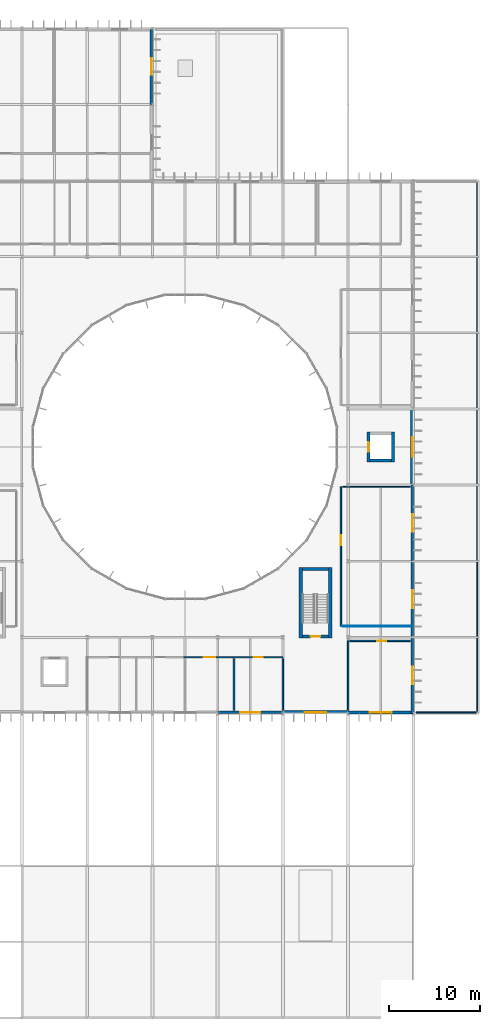
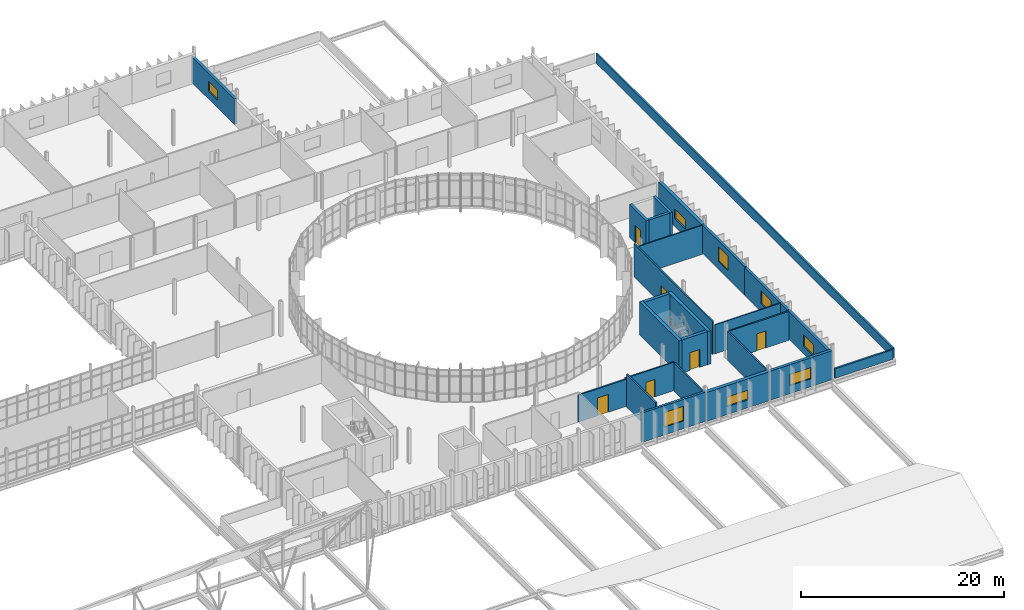
# One storey, part 83 of 99: 26 walls, 8 windows, 6 doors, 14 openings.
"""IFC4 building model written with IfcOpenShell, lengths in metres."""

from ifc_helpers import new_model, si_unit, direction, frame, frame_2d, origin, place, context, subcontext, project, spatial, rectangle, extrude, material, layer, layer_set, type_object, element, fill, save


model = new_model("IFC4")

# Units and contexts
model_context = context("Model", 3, precision=1e-05, world=origin(), true_north=direction((0.0, 1.0)))
body_context = subcontext(model_context, "Body", "Model", "MODEL_VIEW")
ifc_project = project(units=[si_unit("LENGTHUNIT", "METRE"), si_unit("AREAUNIT", "SQUARE_METRE"), si_unit("VOLUMEUNIT", "CUBIC_METRE"), si_unit("PLANEANGLEUNIT", "RADIAN"), si_unit("MASSUNIT", "GRAM", prefix="KILO")], contexts=[model_context])

# Site, building, storey
site_placement = place(None, origin())
site = spatial("IfcSite", under=ifc_project, at=site_placement, CompositionType="ELEMENT")
building_placement = place(site_placement, origin())
building = spatial("IfcBuilding", under=site, at=building_placement, Name="Qelthora Terrace Specialist Clinic", CompositionType="ELEMENT")
storey_placement = place(building_placement, frame((0.0, 0.0, 9.0)))
storey = spatial("IfcBuildingStorey", under=building, at=storey_placement, Name="L02", CompositionType="ELEMENT", Elevation=9.0)

# Wall, opening, door
ifc_material_1 = material(Name="Concrete C40/50", Category="concrete")
ifc_layer_1 = layer(ifc_material_1, 0.300048828125)
ifc_layer_set_1 = layer_set([ifc_layer_1], Name="Concrete C40/50")
wall_type_1 = type_object("IfcWallType", Name="WAL-CORE-300-C40", PredefinedType="SHEAR", material=ifc_layer_set_1)
wall_1_placement = place(storey_placement, frame((146.25, 61.35009765625, 0.0), z_axis=(0.0, 0.0, 1.0), x_axis=(0.0, 1.0, 0.0)))
wall_1 = element("IfcWall", 1, at=wall_1_placement, inside=storey, type_object=wall_type_1, Name="Lift PL-02 L02 west shaft wall", PredefinedType="SHEAR", context=body_context, shape_type="SweptSolid", body=[
    extrude(rectangle(XDim=3.2998046875, YDim=0.300048828125, at=frame_2d((1.64990234375, 0.0))), origin(), (0.0, 0.0, 1.0), 3.97509765625),
])
opening_1_placement = place(wall_1_placement, frame((1.10009765625, 0.0, 0.0)))
opening_1 = element("IfcOpeningElement", 2, at=opening_1_placement, cuts=wall_1, Name="Opening LD-PL-02-L02", PredefinedType="OPENING", context=body_context, shape_type="SweptSolid", body=[
    extrude(rectangle(XDim=1.10009765625, YDim=2.14990234375, at=frame_2d((0.550048828125, 1.074951171875))), frame((0.0, 0.159912109375, 0.0), z_axis=(0.0, -1.0, 0.0), x_axis=(1.0, 0.0, 0.0)), (0.0, 0.0, 1.0), 0.320068359375),
])
ifc_material_2 = material(Name="Steel S355", Category="steel")
door_type_1 = type_object("IfcDoorType", Name="DOR-LIFT-1100X2150", OperationType="NOTDEFINED", PredefinedType="DOOR", material=ifc_material_2)
door_1_placement = place(opening_1_placement, origin())
door_1 = element("IfcDoor", 3, at=door_1_placement, inside=storey, type_object=door_type_1, Name="Lift landing sliding door LD-PL-02-L02", OperationType="DOUBLE_DOOR_SLIDING", OverallHeight=2.14990234375, OverallWidth=1.10009765625, PredefinedType="DOOR", context=body_context, shape_type="SweptSolid", body=[
    extrude(rectangle(XDim=1.10009765625, YDim=2.14990234375, at=frame_2d((0.550048828125, 1.074951171875))), frame((0.0, 0.02490234375, 0.0), z_axis=(0.0, -1.0, 0.0), x_axis=(1.0, 0.0, 0.0)), (0.0, 0.0, 1.0), 0.050048828125),
])
fill(opening_1, door_1)

# Walls
wall_2_placement = place(storey_placement, frame((148.949951171875, 61.35009765625, 0.0), z_axis=(0.0, 0.0, 1.0), x_axis=(0.0, 1.0, 0.0)))
element("IfcWall", 4, at=wall_2_placement, inside=storey, type_object=wall_type_1, Name="Lift PL-02 L02 east shaft wall", PredefinedType="SHEAR", context=body_context, shape_type="SweptSolid", body=[
    extrude(rectangle(XDim=3.2998046875, YDim=0.300048828125, at=frame_2d((1.64990234375, 0.0))), origin(), (0.0, 0.0, 1.0), 3.97509765625),
])
wall_3_placement = place(storey_placement, frame((146.39990234375, 61.5, 0.0), z_axis=(0.0, 0.0, 1.0), x_axis=(1.0, 0.0, 0.0)))
element("IfcWall", 5, at=wall_3_placement, inside=storey, type_object=wall_type_1, Name="Lift PL-02 L02 south shaft wall", PredefinedType="SHEAR", context=body_context, shape_type="SweptSolid", body=[
    extrude(rectangle(XDim=2.400146484375, YDim=0.300048828125, at=frame_2d((1.2001953125, 0.0))), origin(), (0.0, 0.0, 1.0), 3.97509765625),
])
ifc_layer_2 = layer(ifc_material_1, 0.35009765625)
ifc_layer_set_2 = layer_set([ifc_layer_2], Name="Concrete C40/50")
wall_type_2 = type_object("IfcWallType", Name="WAL-CORE-350-C40", PredefinedType="SHEAR", material=ifc_layer_set_2)
for number, where, z_axis, x_axis, name in (
    (6, (138.77490234375, 41.89990234375, 0.0), (0.0, 0.0, 1.0), (0.0, 1.0, 0.0), "ST-06 L02 west shear core wall"),
    (7, (142.02490234375, 41.89990234375, 0.0), (0.0, 0.0, 1.0), (0.0, 1.0, 0.0), "ST-06 L02 east shear core wall"),
):
    element("IfcWall", number, at=place(storey_placement, frame(where, z_axis=z_axis, x_axis=x_axis)), inside=storey, type_object=wall_type_2, Name=name, PredefinedType="SHEAR", context=body_context, shape_type="SweptSolid", body=[
        extrude(rectangle(XDim=7.800048828125, YDim=0.35009765625, at=frame_2d((3.89990234375, 0.0))), origin(), (0.0, 0.0, 1.0), 3.989990234375),
    ])
wall_4_placement = place(storey_placement, frame((138.949951171875, 49.52490234375, 0.0), z_axis=(0.0, 0.0, 1.0), x_axis=(1.0, 0.0, 0.0)))
element("IfcWall", 8, at=wall_4_placement, inside=storey, type_object=wall_type_2, Name="ST-06 L02 north shear core wall", PredefinedType="SHEAR", context=body_context, shape_type="SweptSolid", body=[
    extrude(rectangle(XDim=2.900146484375, YDim=0.35009765625, at=frame_2d((1.4501953125, 0.0))), origin(), (0.0, 0.0, 1.0), 3.989990234375),
])

# Wall, opening, door
wall_5_placement = place(storey_placement, frame((138.949951171875, 42.074951171875, 0.0), z_axis=(0.0, 0.0, 1.0), x_axis=(1.0, 0.0, 0.0)))
wall_5 = element("IfcWall", 9, at=wall_5_placement, inside=storey, type_object=wall_type_2, Name="ST-06 L02 south shear core wall", PredefinedType="SHEAR", context=body_context, shape_type="SweptSolid", body=[
    extrude(rectangle(XDim=2.900146484375, YDim=0.35009765625, at=frame_2d((1.4501953125, 0.0))), origin(), (0.0, 0.0, 1.0), 3.989990234375),
])
opening_2_placement = place(wall_5_placement, frame((0.89990234375, 0.0, 0.0)))
opening_2 = element("IfcOpeningElement", 10, at=opening_2_placement, cuts=wall_5, Name="Opening D-ST-06-L02", PredefinedType="OPENING", context=body_context, shape_type="SweptSolid", body=[
    extrude(rectangle(XDim=1.10009765625, YDim=2.14990234375, at=frame_2d((0.550048828125, 1.074951171875))), frame((0.0, 0.18505859375, 0.0), z_axis=(0.0, -1.0, 0.0), x_axis=(1.0, 0.0, 0.0)), (0.0, 0.0, 1.0), 0.3701171875),
])
door_type_2 = type_object("IfcDoorType", Name="DOR-STAIR-1100X2150", OperationType="NOTDEFINED", PredefinedType="DOOR", material=ifc_material_2)
door_2_placement = place(opening_2_placement, origin())
door_2 = element("IfcDoor", 11, at=door_2_placement, inside=storey, type_object=door_type_2, Name="Stair fire door D-ST-06-L02", OperationType="SINGLE_SWING_LEFT", OverallHeight=2.14990234375, OverallWidth=1.10009765625, PredefinedType="DOOR", context=body_context, shape_type="SweptSolid", body=[
    extrude(rectangle(XDim=1.10009765625, YDim=2.14990234375, at=frame_2d((0.550048828125, 1.074951171875))), frame((0.0, 0.02490234375, 0.0), z_axis=(0.0, -1.0, 0.0), x_axis=(1.0, 0.0, 0.0)), (0.0, 0.0, 1.0), 0.050048828125),
])
fill(opening_2, door_2)

# Wall, opening, window
ifc_material_3 = material(Name="Precast concrete C40/50", Category="concrete")
ifc_layer_3 = layer(ifc_material_3, 0.260009765625)
ifc_layer_set_3 = layer_set([ifc_layer_3], Name="Precast concrete C40/50")
wall_type_3 = type_object("IfcWallType", Name="WAL-EXT-260-PC40", PredefinedType="SOLIDWALL", material=ifc_layer_set_3)
wall_6_placement = place(storey_placement, frame((151.080078125, 50.39990234375, 0.0), z_axis=(0.0, 0.0, 1.0), x_axis=(0.0, 1.0, 0.0)))
wall_6 = element("IfcWall", 12, at=wall_6_placement, inside=storey, type_object=wall_type_3, Name="L02 external precast wall 254", PredefinedType="SOLIDWALL", context=body_context, shape_type="SweptSolid", body=[
    extrude(rectangle(XDim=8.400146484375, YDim=0.260009765625, at=frame_2d((4.2001953125, 0.0))), origin(), (0.0, 0.0, 1.0), 3.39794921875),
])
opening_3_placement = place(wall_6_placement, frame((3.22509765625, 0.0, 0.949951171875)))
opening_3 = element("IfcOpeningElement", 13, at=opening_3_placement, cuts=wall_6, Name="Opening WN-L02-220", PredefinedType="OPENING", context=body_context, shape_type="SweptSolid", body=[
    extrude(rectangle(XDim=1.949951171875, YDim=1.75, at=frame_2d((0.97509765625, 0.875))), frame((0.0, 0.139892578125, 0.0), z_axis=(0.0, -1.0, 0.0), x_axis=(1.0, 0.0, 0.0)), (0.0, 0.0, 1.0), 0.280029296875),
])
ifc_material_4 = material(Name="Low-E triple-silver insulating glass", Category="glass")
window_type_1 = type_object("IfcWindowType", Name="WIN-1950X1750", PartitioningType="DOUBLE_PANEL_VERTICAL", PredefinedType="WINDOW", material=ifc_material_4)
window_1_placement = place(opening_3_placement, origin())
window_1 = element("IfcWindow", 14, at=window_1_placement, inside=storey, type_object=window_type_1, Name="Clinical window WN-L02-220", OverallHeight=1.75, OverallWidth=1.949951171875, PartitioningType="SINGLE_PANEL", PredefinedType="WINDOW", context=body_context, shape_type="SweptSolid", body=[
    extrude(rectangle(XDim=1.949951171875, YDim=1.75, at=frame_2d((0.97509765625, 0.875))), frame((0.0, 0.030029296875, 0.0), z_axis=(0.0, -1.0, 0.0), x_axis=(1.0, 0.0, 0.0)), (0.0, 0.0, 1.0), 0.06005859375),
])
fill(opening_3, window_1)

wall_7_placement = place(storey_placement, frame((129.60009765625, 33.719970703125, 0.0), z_axis=(0.0, 0.0, 1.0), x_axis=(1.0, 0.0, 0.0)))
wall_7 = element("IfcWall", 15, at=wall_7_placement, inside=storey, type_object=wall_type_3, Name="L02 external precast wall 264", PredefinedType="SOLIDWALL", context=body_context, shape_type="SweptSolid", body=[
    extrude(rectangle(XDim=7.199951171875, YDim=0.260009765625, at=frame_2d((3.60009765625, 0.0))), origin(), (0.0, 0.0, 1.0), 3.529052734375),
])
opening_4_placement = place(wall_7_placement, frame((2.47509765625, 0.0, 0.949951171875)))
opening_4 = element("IfcOpeningElement", 16, at=opening_4_placement, cuts=wall_7, Name="Opening WN-L02-228", PredefinedType="OPENING", context=body_context, shape_type="SweptSolid", body=[
    extrude(rectangle(XDim=2.25, YDim=1.75, at=frame_2d((1.125, 0.875))), frame((0.0, 0.139892578125, 0.0), z_axis=(0.0, -1.0, 0.0), x_axis=(1.0, 0.0, 0.0)), (0.0, 0.0, 1.0), 0.280029296875),
])
window_type_2 = type_object("IfcWindowType", Name="WIN-2250X1750", PartitioningType="DOUBLE_PANEL_VERTICAL", PredefinedType="WINDOW", material=ifc_material_4)
window_2_placement = place(opening_4_placement, origin())
window_2 = element("IfcWindow", 17, at=window_2_placement, inside=storey, type_object=window_type_2, Name="Clinical window WN-L02-228", OverallHeight=1.75, OverallWidth=2.25, PartitioningType="SINGLE_PANEL", PredefinedType="WINDOW", context=body_context, shape_type="SweptSolid", body=[
    extrude(rectangle(XDim=2.25, YDim=1.75, at=frame_2d((1.125, 0.875))), frame((0.0, 0.030029296875, 0.0), z_axis=(0.0, -1.0, 0.0), x_axis=(1.0, 0.0, 0.0)), (0.0, 0.0, 1.0), 0.06005859375),
])
fill(opening_4, window_2)

ifc_layer_4 = layer(ifc_material_3, 0.280029296875)
ifc_layer_set_4 = layer_set([ifc_layer_4], Name="Precast concrete C40/50")
wall_type_4 = type_object("IfcWallType", Name="WAL-EXT-280-PC40", PredefinedType="SOLIDWALL", material=ifc_layer_set_4)
wall_8_placement = place(storey_placement, frame((151.080078125, 42.0, 0.0), z_axis=(0.0, 0.0, 1.0), x_axis=(0.0, 1.0, 0.0)))
wall_8 = element("IfcWall", 18, at=wall_8_placement, inside=storey, type_object=wall_type_4, Name="L02 external precast wall 253", PredefinedType="SOLIDWALL", context=body_context, shape_type="SweptSolid", body=[
    extrude(rectangle(XDim=8.39990234375, YDim=0.280029296875, at=frame_2d((4.199951171875, 0.0))), origin(), (0.0, 0.0, 1.0), 3.324951171875),
])
opening_5_placement = place(wall_8_placement, frame((3.22509765625, 0.0, 0.949951171875)))
opening_5 = element("IfcOpeningElement", 19, at=opening_5_placement, cuts=wall_8, Name="Opening WN-L02-219", PredefinedType="OPENING", context=body_context, shape_type="SweptSolid", body=[
    extrude(rectangle(XDim=1.949951171875, YDim=1.550048828125, at=frame_2d((0.97509765625, 0.77490234375))), frame((0.0, 0.14990234375, 0.0), z_axis=(0.0, -1.0, 0.0), x_axis=(1.0, 0.0, 0.0)), (0.0, 0.0, 1.0), 0.300048828125),
])
window_type_3 = type_object("IfcWindowType", Name="WIN-1950X1550", PartitioningType="DOUBLE_PANEL_VERTICAL", PredefinedType="WINDOW", material=ifc_material_4)
window_3_placement = place(opening_5_placement, origin())
window_3 = element("IfcWindow", 20, at=window_3_placement, inside=storey, type_object=window_type_3, Name="Clinical window WN-L02-219", OverallHeight=1.550048828125, OverallWidth=1.949951171875, PartitioningType="SINGLE_PANEL", PredefinedType="WINDOW", context=body_context, shape_type="SweptSolid", body=[
    extrude(rectangle(XDim=1.949951171875, YDim=1.550048828125, at=frame_2d((0.97509765625, 0.77490234375))), frame((0.0, 0.030029296875, 0.0), z_axis=(0.0, -1.0, 0.0), x_axis=(1.0, 0.0, 0.0)), (0.0, 0.0, 1.0), 0.06005859375),
])
fill(opening_5, window_3)

ifc_layer_5 = layer(ifc_material_3, 0.300048828125)
ifc_layer_set_5 = layer_set([ifc_layer_5], Name="Precast concrete C40/50")
wall_type_5 = type_object("IfcWallType", Name="WAL-EXT-300-PC40", PredefinedType="SOLIDWALL", material=ifc_layer_set_5)
wall_9_placement = place(storey_placement, frame((122.280029296875, 100.800048828125, 0.0), z_axis=(0.0, 0.0, 1.0), x_axis=(0.0, 1.0, 0.0)))
wall_9 = element("IfcWall", 21, at=wall_9_placement, inside=storey, type_object=wall_type_5, Name="L02 external precast wall 247", PredefinedType="SOLIDWALL", context=body_context, shape_type="SweptSolid", body=[
    extrude(rectangle(XDim=8.39990234375, YDim=0.300048828125, at=frame_2d((4.199951171875, 0.0))), origin(), (0.0, 0.0, 1.0), 3.091064453125),
])
opening_6_placement = place(wall_9_placement, frame((3.300048828125, 0.0, 0.949951171875)))
opening_6 = element("IfcOpeningElement", 22, at=opening_6_placement, cuts=wall_9, Name="Opening WN-L02-213", PredefinedType="OPENING", context=body_context, shape_type="SweptSolid", body=[
    extrude(rectangle(XDim=1.800048828125, YDim=1.14990234375, at=frame_2d((0.89990234375, 0.574951171875))), frame((0.0, 0.159912109375, 0.0), z_axis=(0.0, -1.0, 0.0), x_axis=(1.0, 0.0, 0.0)), (0.0, 0.0, 1.0), 0.320068359375),
])
window_type_4 = type_object("IfcWindowType", Name="WIN-1800X1150", PartitioningType="DOUBLE_PANEL_VERTICAL", PredefinedType="WINDOW", material=ifc_material_4)
window_4_placement = place(opening_6_placement, origin())
window_4 = element("IfcWindow", 23, at=window_4_placement, inside=storey, type_object=window_type_4, Name="Clinical window WN-L02-213", OverallHeight=1.14990234375, OverallWidth=1.800048828125, PartitioningType="SINGLE_PANEL", PredefinedType="WINDOW", context=body_context, shape_type="SweptSolid", body=[
    extrude(rectangle(XDim=1.800048828125, YDim=1.14990234375, at=frame_2d((0.89990234375, 0.574951171875))), frame((0.0, 0.030029296875, 0.0), z_axis=(0.0, -1.0, 0.0), x_axis=(1.0, 0.0, 0.0)), (0.0, 0.0, 1.0), 0.06005859375),
])
fill(opening_6, window_4)

wall_10_placement = place(storey_placement, frame((151.080078125, 33.60009765625, 0.0), z_axis=(0.0, 0.0, 1.0), x_axis=(0.0, 1.0, 0.0)))
wall_10 = element("IfcWall", 24, at=wall_10_placement, inside=storey, type_object=wall_type_5, Name="L02 external precast wall 252", PredefinedType="SOLIDWALL", context=body_context, shape_type="SweptSolid", body=[
    extrude(rectangle(XDim=8.39990234375, YDim=0.300048828125, at=frame_2d((4.199951171875, 0.0))), origin(), (0.0, 0.0, 1.0), 3.324951171875),
])
opening_7_placement = place(wall_10_placement, frame((3.22509765625, 0.0, 0.949951171875)))
opening_7 = element("IfcOpeningElement", 25, at=opening_7_placement, cuts=wall_10, Name="Opening WN-L02-218", PredefinedType="OPENING", context=body_context, shape_type="SweptSolid", body=[
    extrude(rectangle(XDim=1.949951171875, YDim=1.35009765625, at=frame_2d((0.97509765625, 0.675048828125))), frame((0.0, 0.159912109375, 0.0), z_axis=(0.0, -1.0, 0.0), x_axis=(1.0, 0.0, 0.0)), (0.0, 0.0, 1.0), 0.320068359375),
])
window_type_5 = type_object("IfcWindowType", Name="WIN-1950X1350", PartitioningType="DOUBLE_PANEL_VERTICAL", PredefinedType="WINDOW", material=ifc_material_4)
window_5_placement = place(opening_7_placement, origin())
window_5 = element("IfcWindow", 26, at=window_5_placement, inside=storey, type_object=window_type_5, Name="Clinical window WN-L02-218", OverallHeight=1.35009765625, OverallWidth=1.949951171875, PartitioningType="SINGLE_PANEL", PredefinedType="WINDOW", context=body_context, shape_type="SweptSolid", body=[
    extrude(rectangle(XDim=1.949951171875, YDim=1.35009765625, at=frame_2d((0.97509765625, 0.675048828125))), frame((0.0, 0.030029296875, 0.0), z_axis=(0.0, -1.0, 0.0), x_axis=(1.0, 0.0, 0.0)), (0.0, 0.0, 1.0), 0.06005859375),
])
fill(opening_7, window_5)

ifc_layer_6 = layer(ifc_material_3, 0.320068359375)
ifc_layer_set_6 = layer_set([ifc_layer_6], Name="Precast concrete C40/50")
wall_type_6 = type_object("IfcWallType", Name="WAL-EXT-320-PC40", PredefinedType="SOLIDWALL", material=ifc_layer_set_6)
wall_11_placement = place(storey_placement, frame((144.0, 33.719970703125, 0.0), z_axis=(0.0, 0.0, 1.0), x_axis=(1.0, 0.0, 0.0)))
wall_11 = element("IfcWall", 27, at=wall_11_placement, inside=storey, type_object=wall_type_6, Name="L02 external precast wall 266", PredefinedType="SOLIDWALL", context=body_context, shape_type="SweptSolid", body=[
    extrude(rectangle(XDim=7.199951171875, YDim=0.320068359375, at=frame_2d((3.60009765625, 0.0))), origin(), (0.0, 0.0, 1.0), 3.48193359375),
])
opening_8_placement = place(wall_11_placement, frame((2.39990234375, 0.0, 0.949951171875)))
opening_8 = element("IfcOpeningElement", 28, at=opening_8_placement, cuts=wall_11, Name="Opening WN-L02-230", PredefinedType="OPENING", context=body_context, shape_type="SweptSolid", body=[
    extrude(rectangle(XDim=2.39990234375, YDim=1.35009765625, at=frame_2d((1.199951171875, 0.675048828125))), frame((0.0, 0.169921875, 0.0), z_axis=(0.0, -1.0, 0.0), x_axis=(1.0, 0.0, 0.0)), (0.0, 0.0, 1.0), 0.340087890625),
])
window_type_6 = type_object("IfcWindowType", Name="WIN-2400X1350", PartitioningType="DOUBLE_PANEL_VERTICAL", PredefinedType="WINDOW", material=ifc_material_4)
window_6_placement = place(opening_8_placement, origin())
window_6 = element("IfcWindow", 29, at=window_6_placement, inside=storey, type_object=window_type_6, Name="Clinical window WN-L02-230", OverallHeight=1.35009765625, OverallWidth=2.39990234375, PartitioningType="SINGLE_PANEL", PredefinedType="WINDOW", context=body_context, shape_type="SweptSolid", body=[
    extrude(rectangle(XDim=2.39990234375, YDim=1.35009765625, at=frame_2d((1.199951171875, 0.675048828125))), frame((0.0, 0.030029296875, 0.0), z_axis=(0.0, -1.0, 0.0), x_axis=(1.0, 0.0, 0.0)), (0.0, 0.0, 1.0), 0.06005859375),
])
fill(opening_8, window_6)

ifc_layer_7 = layer(ifc_material_3, 0.3798828125)
ifc_layer_set_7 = layer_set([ifc_layer_7], Name="Precast concrete C40/50")
wall_type_7 = type_object("IfcWallType", Name="WAL-EXT-380-PC40", PredefinedType="SOLIDWALL", material=ifc_layer_set_7)
wall_12_placement = place(storey_placement, frame((151.080078125, 58.800048828125, 0.0), z_axis=(0.0, 0.0, 1.0), x_axis=(0.0, 1.0, 0.0)))
wall_12 = element("IfcWall", 30, at=wall_12_placement, inside=storey, type_object=wall_type_7, Name="L02 external precast wall 255", PredefinedType="SOLIDWALL", context=body_context, shape_type="SweptSolid", body=[
    extrude(rectangle(XDim=8.39990234375, YDim=0.3798828125, at=frame_2d((4.199951171875, 0.0))), origin(), (0.0, 0.0, 1.0), 3.405029296875),
])
opening_9_placement = place(wall_12_placement, frame((3.14990234375, 0.0, 0.949951171875)))
opening_9 = element("IfcOpeningElement", 31, at=opening_9_placement, cuts=wall_12, Name="Opening WN-L02-221", PredefinedType="OPENING", context=body_context, shape_type="SweptSolid", body=[
    extrude(rectangle(XDim=2.10009765625, YDim=1.14990234375, at=frame_2d((1.050048828125, 0.574951171875))), frame((0.0, 0.199951171875, 0.0), z_axis=(0.0, -1.0, 0.0), x_axis=(1.0, 0.0, 0.0)), (0.0, 0.0, 1.0), 0.39990234375),
])
window_type_7 = type_object("IfcWindowType", Name="WIN-2100X1150", PartitioningType="DOUBLE_PANEL_VERTICAL", PredefinedType="WINDOW", material=ifc_material_4)
window_7_placement = place(opening_9_placement, origin())
window_7 = element("IfcWindow", 32, at=window_7_placement, inside=storey, type_object=window_type_7, Name="Clinical window WN-L02-221", OverallHeight=1.14990234375, OverallWidth=2.10009765625, PartitioningType="SINGLE_PANEL", PredefinedType="WINDOW", context=body_context, shape_type="SweptSolid", body=[
    extrude(rectangle(XDim=2.10009765625, YDim=1.14990234375, at=frame_2d((1.050048828125, 0.574951171875))), frame((0.0, 0.030029296875, 0.0), z_axis=(0.0, -1.0, 0.0), x_axis=(1.0, 0.0, 0.0)), (0.0, 0.0, 1.0), 0.06005859375),
])
fill(opening_9, window_7)

wall_13_placement = place(storey_placement, frame((136.800048828125, 33.719970703125, 0.0), z_axis=(0.0, 0.0, 1.0), x_axis=(1.0, 0.0, 0.0)))
wall_13 = element("IfcWall", 33, at=wall_13_placement, inside=storey, type_object=wall_type_7, Name="L02 external precast wall 265", PredefinedType="SOLIDWALL", context=body_context, shape_type="SweptSolid", body=[
    extrude(rectangle(XDim=7.199951171875, YDim=0.3798828125, at=frame_2d((3.60009765625, 0.0))), origin(), (0.0, 0.0, 1.0), 3.48193359375),
])
opening_10_placement = place(wall_13_placement, frame((2.39990234375, 0.0, 0.949951171875)))
opening_10 = element("IfcOpeningElement", 34, at=opening_10_placement, cuts=wall_13, Name="Opening WN-L02-229", PredefinedType="OPENING", context=body_context, shape_type="SweptSolid", body=[
    extrude(rectangle(XDim=2.39990234375, YDim=1.14990234375, at=frame_2d((1.199951171875, 0.574951171875))), frame((0.0, 0.199951171875, 0.0), z_axis=(0.0, -1.0, 0.0), x_axis=(1.0, 0.0, 0.0)), (0.0, 0.0, 1.0), 0.39990234375),
])
window_type_8 = type_object("IfcWindowType", Name="WIN-2400X1150", PartitioningType="DOUBLE_PANEL_VERTICAL", PredefinedType="WINDOW", material=ifc_material_4)
window_8_placement = place(opening_10_placement, origin())
window_8 = element("IfcWindow", 35, at=window_8_placement, inside=storey, type_object=window_type_8, Name="Clinical window WN-L02-229", OverallHeight=1.14990234375, OverallWidth=2.39990234375, PartitioningType="SINGLE_PANEL", PredefinedType="WINDOW", context=body_context, shape_type="SweptSolid", body=[
    extrude(rectangle(XDim=2.39990234375, YDim=1.14990234375, at=frame_2d((1.199951171875, 0.574951171875))), frame((0.0, 0.030029296875, 0.0), z_axis=(0.0, -1.0, 0.0), x_axis=(1.0, 0.0, 0.0)), (0.0, 0.0, 1.0), 0.06005859375),
])
fill(opening_10, window_8)

# Wall
ifc_material_5 = material(Name="Gypsum fire-rated wallboard", Category="gypsum")
ifc_layer_8 = layer(ifc_material_5, 0.179931640625)
ifc_layer_set_8 = layer_set([ifc_layer_8], Name="Gypsum fire-rated wallboard")
wall_type_8 = type_object("IfcWallType", Name="WAL-INT-CLN-180", PredefinedType="PARTITIONING", material=ifc_layer_set_8)
wall_14_placement = place(storey_placement, frame((131.39990234375, 39.6201171875, 0.0), z_axis=(0.0, 0.0, 1.0), x_axis=(0.0, -1.0, 0.0)))
element("IfcWall", 36, at=wall_14_placement, inside=storey, type_object=wall_type_8, Name="Interior clinical partition IWAL-L02-0257", PredefinedType="PARTITIONING", context=body_context, shape_type="SweptSolid", body=[
    extrude(rectangle(XDim=5.68017578125, YDim=0.179931640625, at=frame_2d((2.840087890625, 0.0))), origin(), (0.0, 0.0, 1.0), 3.945068359375),
])

# Wall, opening, door
ifc_layer_9 = layer(ifc_material_5, 0.159912109375)
ifc_layer_set_9 = layer_set([ifc_layer_9], Name="Gypsum fire-rated wallboard")
wall_type_9 = type_object("IfcWallType", Name="WAL-INT-COR-160", PredefinedType="PARTITIONING", material=ifc_layer_set_9)
wall_15_placement = place(storey_placement, frame((144.179931640625, 41.60009765625, 0.0), z_axis=(0.0, 0.0, 1.0), x_axis=(1.0, 0.0, 0.0)))
wall_15 = element("IfcWall", 37, at=wall_15_placement, inside=storey, type_object=wall_type_9, Name="Interior clinical partition IWAL-L02-0250", PredefinedType="PARTITIONING", context=body_context, shape_type="SweptSolid", body=[
    extrude(rectangle(XDim=6.68017578125, YDim=0.159912109375, at=frame_2d((3.340087890625, 0.0))), origin(), (0.0, 0.0, 1.0), 3.47900390625),
])
opening_11_placement = place(wall_15_placement, frame((3.030029296875, 0.0, 0.0)))
opening_11 = element("IfcOpeningElement", 38, at=opening_11_placement, cuts=wall_15, Name="Opening DI-L02-0100", PredefinedType="OPENING", context=body_context, shape_type="SweptSolid", body=[
    extrude(rectangle(XDim=1.02001953125, YDim=2.050048828125, at=frame_2d((0.510009765625, 1.02490234375))), frame((0.0, 0.08984375, 0.0), z_axis=(0.0, -1.0, 0.0), x_axis=(1.0, 0.0, 0.0)), (0.0, 0.0, 1.0), 0.179931640625),
])
ifc_material_6 = material(Name="Glulam timber GL28h", Category="wood")
door_type_3 = type_object("IfcDoorType", Name="DOR-CON-1020X2050", OperationType="NOTDEFINED", PredefinedType="DOOR", material=ifc_material_6)
door_3_placement = place(opening_11_placement, frame((1.02001953125, 0.0, 0.0), z_axis=(0.0, 0.0, 1.0), x_axis=(-1.0, 0.0, 0.0)))
door_3 = element("IfcDoor", 39, at=door_3_placement, inside=storey, type_object=door_type_3, Name="Interior clinical door DI-L02-0100", OperationType="SINGLE_SWING_LEFT", OverallHeight=2.050048828125, OverallWidth=1.02001953125, PredefinedType="DOOR", context=body_context, shape_type="SweptSolid", body=[
    extrude(rectangle(XDim=1.02001953125, YDim=2.050048828125, at=frame_2d((0.510009765625, 1.02490234375))), frame((0.0, 0.02490234375, 0.0), z_axis=(0.0, -1.0, 0.0), x_axis=(1.0, 0.0, 0.0)), (0.0, 0.0, 1.0), 0.050048828125),
])
fill(opening_11, door_3)

wall_16_placement = place(storey_placement, frame((125.864990234375, 39.800048828125, 0.0), z_axis=(0.0, 0.0, 1.0), x_axis=(1.0, 0.0, 0.0)))
wall_16 = element("IfcWall", 40, at=wall_16_placement, inside=storey, type_object=wall_type_9, Name="Interior clinical partition IWAL-L02-0256", PredefinedType="PARTITIONING", context=body_context, shape_type="SweptSolid", body=[
    extrude(rectangle(XDim=5.534912109375, YDim=0.159912109375, at=frame_2d((2.767578125, 0.0))), origin(), (0.0, 0.0, 1.0), 3.251953125),
])
opening_12_placement = place(wall_16_placement, frame((2.21240234375, 0.0, 0.0)))
opening_12 = element("IfcOpeningElement", 41, at=opening_12_placement, cuts=wall_16, Name="Opening DI-L02-0103", PredefinedType="OPENING", context=body_context, shape_type="SweptSolid", body=[
    extrude(rectangle(XDim=1.25, YDim=2.14990234375, at=frame_2d((0.625, 1.074951171875))), frame((0.0, 0.08984375, 0.0), z_axis=(0.0, -1.0, 0.0), x_axis=(1.0, 0.0, 0.0)), (0.0, 0.0, 1.0), 0.179931640625),
])
door_type_4 = type_object("IfcDoorType", Name="DOR-INF-1250X2150", OperationType="NOTDEFINED", PredefinedType="DOOR", material=ifc_material_6)
door_4_placement = place(opening_12_placement, frame((1.25, 0.0, 0.0), z_axis=(0.0, 0.0, 1.0), x_axis=(-1.0, 0.0, 0.0)))
door_4 = element("IfcDoor", 42, at=door_4_placement, inside=storey, type_object=door_type_4, Name="Interior clinical door DI-L02-0103", OperationType="SINGLE_SWING_RIGHT", OverallHeight=2.14990234375, OverallWidth=1.25, PredefinedType="DOOR", context=body_context, shape_type="SweptSolid", body=[
    extrude(rectangle(XDim=1.25, YDim=2.14990234375, at=frame_2d((0.625, 1.074951171875))), frame((0.0, 0.02490234375, 0.0), z_axis=(0.0, -1.0, 0.0), x_axis=(1.0, 0.0, 0.0)), (0.0, 0.0, 1.0), 0.050048828125),
])
fill(opening_12, door_4)

wall_17_placement = place(storey_placement, frame((143.199951171875, 43.199951171875, 0.0), z_axis=(0.0, 0.0, 1.0), x_axis=(0.0, 1.0, 0.0)))
wall_17 = element("IfcWall", 43, at=wall_17_placement, inside=storey, type_object=wall_type_9, Name="Interior clinical partition IWAL-L02-0285", PredefinedType="PARTITIONING", context=body_context, shape_type="SweptSolid", body=[
    extrude(rectangle(XDim=15.400146484375, YDim=0.159912109375, at=frame_2d((7.7001953125, 0.0))), origin(), (0.0, 0.0, 1.0), 3.945068359375),
])
opening_13_placement = place(wall_17_placement, frame((8.9599609375, 0.0, 0.0)))
opening_13 = element("IfcOpeningElement", 44, at=opening_13_placement, cuts=wall_17, Name="Opening DI-L02-0114", PredefinedType="OPENING", context=body_context, shape_type="SweptSolid", body=[
    extrude(rectangle(XDim=1.080078125, YDim=2.14990234375, at=frame_2d((0.5400390625, 1.074951171875))), frame((0.0, 0.08984375, 0.0), z_axis=(0.0, -1.0, 0.0), x_axis=(1.0, 0.0, 0.0)), (0.0, 0.0, 1.0), 0.179931640625),
])
door_type_5 = type_object("IfcDoorType", Name="DOR-CON-1080X2150", OperationType="NOTDEFINED", PredefinedType="DOOR", material=ifc_material_6)
door_5_placement = place(opening_13_placement, frame((1.080078125, 0.0, 0.0), z_axis=(0.0, 0.0, 1.0), x_axis=(-1.0, 0.0, 0.0)))
door_5 = element("IfcDoor", 45, at=door_5_placement, inside=storey, type_object=door_type_5, Name="Interior clinical door DI-L02-0114", OperationType="SINGLE_SWING_LEFT", OverallHeight=2.14990234375, OverallWidth=1.080078125, PredefinedType="DOOR", context=body_context, shape_type="SweptSolid", body=[
    extrude(rectangle(XDim=1.080078125, YDim=2.14990234375, at=frame_2d((0.5400390625, 1.074951171875))), frame((0.0, 0.02490234375, 0.0), z_axis=(0.0, -1.0, 0.0), x_axis=(1.0, 0.0, 0.0)), (0.0, 0.0, 1.0), 0.050048828125),
])
fill(opening_13, door_5)

# Walls
ifc_layer_10 = layer(ifc_material_4, 0.110107421875)
ifc_layer_set_10 = layer_set([ifc_layer_10], Name="Low-E triple-silver insulating glass")
wall_type_10 = type_object("IfcWallType", Name="WAL-INT-GLA-110", PredefinedType="MOVABLE", material=ifc_layer_set_10)
wall_18_placement = place(storey_placement, frame((150.860107421875, 43.199951171875, 0.0), z_axis=(0.0, 0.0, 1.0), x_axis=(-1.0, 0.0, 0.0)))
element("IfcWall", 46, at=wall_18_placement, inside=storey, type_object=wall_type_10, Name="Interior clinical partition IWAL-L02-0287", PredefinedType="MOVABLE", context=body_context, shape_type="SweptSolid", body=[
    extrude(rectangle(XDim=7.480224609375, YDim=0.110107421875, at=frame_2d((3.740234375, 0.0))), origin(), (0.0, 0.0, 1.0), 3.485107421875),
])
ifc_material_7 = material(Name="Gypsum acoustic wallboard", Category="gypsum")
ifc_layer_11 = layer(ifc_material_7, 0.1201171875)
ifc_layer_set_11 = layer_set([ifc_layer_11], Name="Gypsum acoustic wallboard")
wall_type_11 = type_object("IfcWallType", Name="WAL-INT-STD-120", PredefinedType="PARTITIONING", material=ifc_layer_set_11)
wall_19_placement = place(storey_placement, frame((143.3798828125, 58.60009765625, 0.0), z_axis=(0.0, 0.0, 1.0), x_axis=(1.0, 0.0, 0.0)))
element("IfcWall", 47, at=wall_19_placement, inside=storey, type_object=wall_type_11, Name="Interior clinical partition IWAL-L02-0286", PredefinedType="PARTITIONING", context=body_context, shape_type="SweptSolid", body=[
    extrude(rectangle(XDim=7.480224609375, YDim=0.1201171875, at=frame_2d((3.740234375, 0.0))), origin(), (0.0, 0.0, 1.0), 3.485107421875),
])
ifc_material_8 = material(Name="Gypsum moisture-resistant", Category="gypsum")
ifc_layer_12 = layer(ifc_material_8, 0.14990234375)
ifc_layer_set_12 = layer_set([ifc_layer_12], Name="Gypsum moisture-resistant")
wall_type_12 = type_object("IfcWallType", Name="WAL-INT-WET-150", PredefinedType="PLUMBINGWALL", material=ifc_layer_set_12)
wall_20_placement = place(storey_placement, frame((144.0, 33.93994140625, 0.0), z_axis=(0.0, 0.0, 1.0), x_axis=(0.0, 1.0, 0.0)))
element("IfcWall", 48, at=wall_20_placement, inside=storey, type_object=wall_type_12, Name="Interior clinical partition IWAL-L02-0249", PredefinedType="PLUMBINGWALL", context=body_context, shape_type="SweptSolid", body=[
    extrude(rectangle(XDim=7.66015625, YDim=0.14990234375, at=frame_2d((3.830078125, 0.0))), origin(), (0.0, 0.0, 1.0), 3.47900390625),
])

# Wall, opening, door
wall_21_placement = place(storey_placement, frame((131.264892578125, 39.800048828125, 0.0), z_axis=(0.0, 0.0, 1.0), x_axis=(1.0, 0.0, 0.0)))
wall_21 = element("IfcWall", 49, at=wall_21_placement, inside=storey, type_object=wall_type_12, Name="Interior clinical partition IWAL-L02-0258", PredefinedType="PLUMBINGWALL", context=body_context, shape_type="SweptSolid", body=[
    extrude(rectangle(XDim=5.53515625, YDim=0.14990234375, at=frame_2d((2.767578125, 0.0))), origin(), (0.0, 0.0, 1.0), 3.40087890625),
])
opening_14_placement = place(wall_21_placement, frame((2.33740234375, 0.0, 0.0)))
opening_14 = element("IfcOpeningElement", 50, at=opening_14_placement, cuts=wall_21, Name="Opening DI-L02-0104", PredefinedType="OPENING", context=body_context, shape_type="SweptSolid", body=[
    extrude(rectangle(XDim=1.0, YDim=2.10009765625, at=frame_2d((0.5, 1.050048828125))), frame((0.0, 0.0849609375, 0.0), z_axis=(0.0, -1.0, 0.0), x_axis=(1.0, 0.0, 0.0)), (0.0, 0.0, 1.0), 0.169921875),
])
door_type_6 = type_object("IfcDoorType", Name="DOR-AWC-1000X2100", OperationType="NOTDEFINED", PredefinedType="DOOR", material=ifc_material_6)
door_6_placement = place(opening_14_placement, frame((1.0, 0.0, 0.0), z_axis=(0.0, 0.0, 1.0), x_axis=(-1.0, 0.0, 0.0)))
door_6 = element("IfcDoor", 51, at=door_6_placement, inside=storey, type_object=door_type_6, Name="Interior clinical door DI-L02-0104", OperationType="SINGLE_SWING_LEFT", OverallHeight=2.10009765625, OverallWidth=1.0, PredefinedType="DOOR", context=body_context, shape_type="SweptSolid", body=[
    extrude(rectangle(XDim=1.0, YDim=2.10009765625, at=frame_2d((0.5, 1.050048828125))), frame((0.0, 0.02490234375, 0.0), z_axis=(0.0, -1.0, 0.0), x_axis=(1.0, 0.0, 0.0)), (0.0, 0.0, 1.0), 0.050048828125),
])
fill(opening_14, door_6)

# Walls
wall_22_placement = place(storey_placement, frame((136.800048828125, 39.6201171875, 0.0), z_axis=(0.0, 0.0, 1.0), x_axis=(0.0, -1.0, 0.0)))
element("IfcWall", 52, at=wall_22_placement, inside=storey, type_object=wall_type_12, Name="Interior clinical partition IWAL-L02-0259", PredefinedType="PLUMBINGWALL", context=body_context, shape_type="SweptSolid", body=[
    extrude(rectangle(XDim=5.68017578125, YDim=0.14990234375, at=frame_2d((2.840087890625, 0.0))), origin(), (0.0, 0.0, 1.0), 3.40087890625),
])
ifc_layer_13 = layer(ifc_material_3, 0.18994140625)
ifc_layer_set_13 = layer_set([ifc_layer_13], Name="Precast concrete C40/50")
wall_type_13 = type_object("IfcWallType", Name="WAL-PAR-190-PC40", PredefinedType="PARAPET", material=ifc_layer_set_13)
wall_23_placement = place(storey_placement, frame((158.2900390625, 92.179931640625, 0.0), z_axis=(0.0, 0.0, 1.0), x_axis=(0.0, -1.0, 0.0)))
element("IfcWall", 53, at=wall_23_placement, inside=storey, type_object=wall_type_13, Name="Roof perimeter parapet ROOF-V4-STP2-1-1", PredefinedType="PARAPET", context=body_context, shape_type="SweptSolid", body=[
    extrude(rectangle(XDim=58.35986328125, YDim=0.18994140625, at=frame_2d((29.179931640625, 0.0))), origin(), (0.0, 0.0, 1.0), 1.14990234375),
])
wall_24_placement = place(storey_placement, frame((158.123046875, 33.7099609375, 0.0), z_axis=(0.0, 0.0, 1.0), x_axis=(-1.0, 0.0, 0.0)))
element("IfcWall", 54, at=wall_24_placement, inside=storey, type_object=wall_type_13, Name="Roof perimeter parapet ROOF-V4-STP2-1-2", PredefinedType="PARAPET", context=body_context, shape_type="SweptSolid", body=[
    extrude(rectangle(XDim=6.58349609375, YDim=0.18994140625, at=frame_2d((3.291748046875, 0.0))), origin(), (0.0, 0.0, 1.0), 1.14990234375),
])

save(model, "model.ifc")
